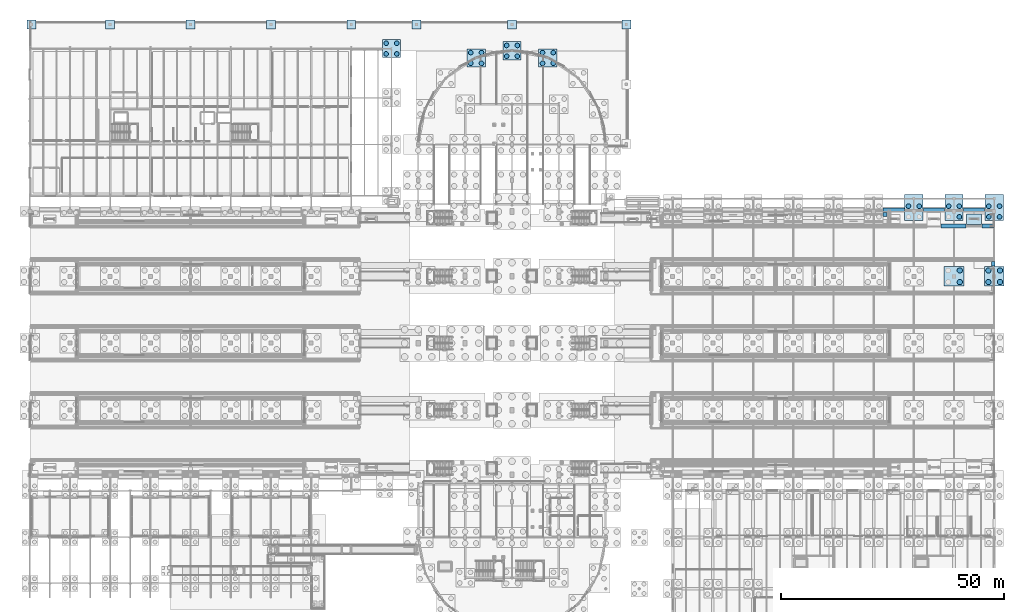
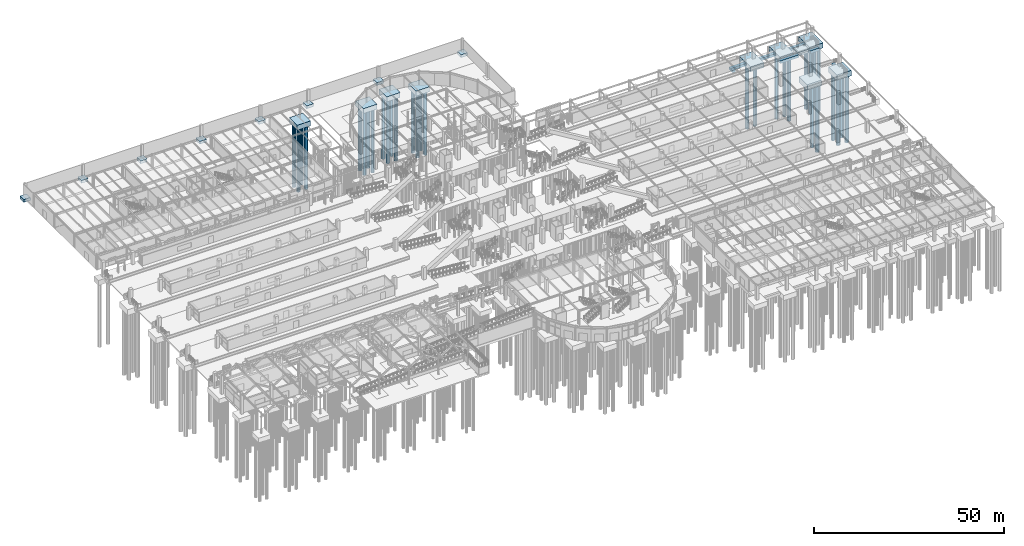
# One storey, part 9 of 160: 31 piles, 25 footings.
"""IFC4 building model written with IfcOpenShell, lengths in metres."""

from ifc_helpers import new_model, si_unit, direction, frame, origin, origin_2d, place, context, subcontext, project, spatial, rectangle, circle, extrude, material, material_profile, profile_set, type_object, element, save


model = new_model("IFC4")

# Units and contexts
model_context = context("Model", 3, precision=1e-05, world=origin(), true_north=direction((0.0, 1.0)))
body_context = subcontext(model_context, "Body", "Model", "MODEL_VIEW")
ifc_project = project(units=[si_unit("LENGTHUNIT", "METRE"), si_unit("AREAUNIT", "SQUARE_METRE"), si_unit("VOLUMEUNIT", "CUBIC_METRE"), si_unit("PLANEANGLEUNIT", "RADIAN"), si_unit("MASSUNIT", "GRAM", prefix="KILO")], contexts=[model_context])

# Site, building, storey
site_placement = place(None, origin())
site = spatial("IfcSite", under=ifc_project, at=site_placement, CompositionType="ELEMENT")
building_placement = place(site_placement, origin())
building = spatial("IfcBuilding", under=site, at=building_placement, Name="Marlcrest Central Station", CompositionType="ELEMENT")
storey_placement = place(building_placement, origin())
storey = spatial("IfcBuildingStorey", under=building, at=storey_placement, Name="L00", CompositionType="ELEMENT", Elevation=0.0)

# Piles
ifc_material_1 = material(Name="Concrete C35/45", Category="concrete")
ifc_material_profile_1 = material_profile(ifc_material_1, circle(Radius=0.52490234375, at=origin_2d()), Name="PILE D1050")
ifc_profile_set_1 = profile_set([ifc_material_profile_1], Name="Concrete C35/45")
pile_type_1 = type_object("IfcPileType", Name="BP-03", PredefinedType="BORED", material=ifc_profile_set_1)
for number, where, z_axis, x_axis, name in (
    (1, (79.800048828125, 130.800048828125, -1.5), (0.0, 0.0, -1.0), (1.0, 0.0, 0.0), "pile-BP-03-0165"),
    (2, (82.199951171875, 130.800048828125, -1.5), (0.0, 0.0, -1.0), (1.0, 0.0, 0.0), "pile-BP-03-0166"),
    (3, (79.800048828125, 133.199951171875, -1.5), (0.0, 0.0, -1.0), (1.0, 0.0, 0.0), "pile-BP-03-0167"),
    (4, (82.199951171875, 133.199951171875, -1.5), (0.0, 0.0, -1.0), (1.0, 0.0, 0.0), "pile-BP-03-0168"),
    (5, (196.800048828125, 96.699951171875, -1.5), (0.0, 0.0, -1.0), (1.0, 0.0, 0.0), "pile-BP-03-0663"),
    (6, (199.199951171875, 96.699951171875, -1.5), (0.0, 0.0, -1.0), (1.0, 0.0, 0.0), "pile-BP-03-0664"),
    (7, (208.199951171875, 94.300048828125, -1.5), (0.0, 0.0, -1.0), (1.0, 0.0, 0.0), "pile-BP-03-0678"),
    (8, (205.800048828125, 96.699951171875, -1.5), (0.0, 0.0, -1.0), (1.0, 0.0, 0.0), "pile-BP-03-0679"),
    (9, (208.199951171875, 96.699951171875, -1.5), (0.0, 0.0, -1.0), (1.0, 0.0, 0.0), "pile-BP-03-0680"),
    (10, (214.800048828125, 94.300048828125, -1.5), (0.0, 0.0, -1.0), (1.0, 0.0, 0.0), "pile-BP-03-0693"),
    (11, (217.199951171875, 94.300048828125, -1.5), (0.0, 0.0, -1.0), (1.0, 0.0, 0.0), "pile-BP-03-0694"),
    (12, (214.800048828125, 96.699951171875, -1.5), (0.0, 0.0, -1.0), (1.0, 0.0, 0.0), "pile-BP-03-0695"),
    (13, (217.199951171875, 96.699951171875, -1.5), (0.0, 0.0, -1.0), (1.0, 0.0, 0.0), "pile-BP-03-0696"),
    (14, (98.763916015625, 128.700927734375, -1.5), (0.0, 0.0, -1.0), (1.0, 0.0, 0.0), "pile-BP-03-1014"),
    (15, (101.1640625, 128.700927734375, -1.5), (0.0, 0.0, -1.0), (1.0, 0.0, 0.0), "pile-BP-03-1015"),
    (16, (98.763916015625, 131.10107421875, -1.5), (0.0, 0.0, -1.0), (1.0, 0.0, 0.0), "pile-BP-03-1016"),
    (17, (101.1640625, 131.10107421875, -1.5), (0.0, 0.0, -1.0), (1.0, 0.0, 0.0), "pile-BP-03-1017"),
    (18, (106.800048828125, 130.300048828125, -1.5), (0.0, 0.0, -1.0), (1.0, 0.0, 0.0), "pile-BP-03-1018"),
    (19, (109.199951171875, 130.300048828125, -1.5), (0.0, 0.0, -1.0), (1.0, 0.0, 0.0), "pile-BP-03-1019"),
    (20, (106.800048828125, 132.699951171875, -1.5), (0.0, 0.0, -1.0), (1.0, 0.0, 0.0), "pile-BP-03-1020"),
    (21, (109.199951171875, 132.699951171875, -1.5), (0.0, 0.0, -1.0), (1.0, 0.0, 0.0), "pile-BP-03-1021"),
    (22, (114.8359375, 128.700927734375, -1.5), (0.0, 0.0, -1.0), (1.0, 0.0, 0.0), "pile-BP-03-1022"),
    (23, (117.236083984375, 128.700927734375, -1.5), (0.0, 0.0, -1.0), (1.0, 0.0, 0.0), "pile-BP-03-1023"),
    (24, (114.8359375, 131.10107421875, -1.5), (0.0, 0.0, -1.0), (1.0, 0.0, 0.0), "pile-BP-03-1024"),
    (25, (117.236083984375, 131.10107421875, -1.5), (0.0, 0.0, -1.0), (1.0, 0.0, 0.0), "pile-BP-03-1025"),
):
    element("IfcPile", number, at=place(storey_placement, frame(where, z_axis=z_axis, x_axis=x_axis)), inside=storey, type_object=pile_type_1, Name=name, PredefinedType="BORED", context=body_context, shape_type="SweptSolid", body=[
        extrude(circle(Radius=0.52490234375, at=origin_2d()), origin(), (0.0, 0.0, 1.0), 20.5),
    ])
ifc_material_profile_2 = material_profile(ifc_material_1, circle(Radius=0.60009765625, at=origin_2d()), Name="PILE D1200")
ifc_profile_set_2 = profile_set([ifc_material_profile_2], Name="Concrete C35/45")
pile_type_2 = type_object("IfcPileType", Name="BP-04", PredefinedType="BORED", material=ifc_profile_set_2)
for number, where, z_axis, x_axis, name in (
    (26, (208.300048828125, 79.699951171875, -1.699951171875), (0.0, 0.0, -1.0), (1.0, 0.0, 0.0), "pile-BP-04-0674"),
    (27, (208.300048828125, 82.300048828125, -1.699951171875), (0.0, 0.0, -1.0), (1.0, 0.0, 0.0), "pile-BP-04-0676"),
    (28, (214.699951171875, 79.699951171875, -1.699951171875), (0.0, 0.0, -1.0), (1.0, 0.0, 0.0), "pile-BP-04-0689"),
    (29, (217.300048828125, 79.699951171875, -1.699951171875), (0.0, 0.0, -1.0), (1.0, 0.0, 0.0), "pile-BP-04-0690"),
    (30, (214.699951171875, 82.300048828125, -1.699951171875), (0.0, 0.0, -1.0), (1.0, 0.0, 0.0), "pile-BP-04-0691"),
    (31, (217.300048828125, 82.300048828125, -1.699951171875), (0.0, 0.0, -1.0), (1.0, 0.0, 0.0), "pile-BP-04-0692"),
):
    element("IfcPile", number, at=place(storey_placement, frame(where, z_axis=z_axis, x_axis=x_axis)), inside=storey, type_object=pile_type_2, Name=name, PredefinedType="BORED", context=body_context, shape_type="SweptSolid", body=[
        extrude(circle(Radius=0.60009765625, at=origin_2d()), origin(), (0.0, 0.0, 1.0), 21.5),
    ])

# Footings
ifc_material_2 = material(Name="Concrete C40/50", Category="concrete")
footing_type_1 = type_object("IfcFootingType", Name="PC-03", PredefinedType="PILE_CAP", material=ifc_material_2)
footing_1_placement = place(storey_placement, frame((81.0, 132.0, -1.60009765625), z_axis=(0.0, 0.0, 1.0), x_axis=(1.0, 0.0, 0.0)))
element("IfcFooting", 32, at=footing_1_placement, inside=storey, type_object=footing_type_1, Name="ftg-cap-0040", PredefinedType="PILE_CAP", context=body_context, shape_type="SweptSolid", body=[
    extrude(rectangle(XDim=4.10009765625, YDim=4.10009765625, at=origin_2d()), origin(), (0.0, 0.0, 1.0), 1.60009765625),
])
for number, where, z_axis, x_axis, name in (
    (33, (198.0, 96.39990234375, -1.60009765625), (0.0, 0.0, 1.0), (1.0, 0.0, 0.0), "ftg-cap-0172"),
    (34, (207.0, 96.39990234375, -1.60009765625), (0.0, 0.0, 1.0), (1.0, 0.0, 0.0), "ftg-cap-0176"),
    (35, (216.0, 96.39990234375, -1.60009765625), (0.0, 0.0, 1.0), (1.0, 0.0, 0.0), "ftg-cap-0180"),
):
    element("IfcFooting", number, at=place(storey_placement, frame(where, z_axis=z_axis, x_axis=x_axis)), inside=storey, type_object=footing_type_1, Name=name, PredefinedType="PILE_CAP", context=body_context, shape_type="SweptSolid", body=[
        extrude(rectangle(XDim=4.10009765625, YDim=5.89990234375, at=origin_2d()), origin(), (0.0, 0.0, 1.0), 1.60009765625),
    ])
for number, where, z_axis, x_axis, name in (
    (36, (99.964111328125, 129.90087890625, -1.60009765625), (0.0, 0.0, 1.0), (1.0, 0.0, 0.0), "ftg-cap-0237"),
    (37, (108.0, 131.5, -1.60009765625), (0.0, 0.0, 1.0), (1.0, 0.0, 0.0), "ftg-cap-0238"),
    (38, (116.035888671875, 129.90087890625, -1.60009765625), (0.0, 0.0, 1.0), (1.0, 0.0, 0.0), "ftg-cap-0239"),
):
    element("IfcFooting", number, at=place(storey_placement, frame(where, z_axis=z_axis, x_axis=x_axis)), inside=storey, type_object=footing_type_1, Name=name, PredefinedType="PILE_CAP", context=body_context, shape_type="SweptSolid", body=[
        extrude(rectangle(XDim=4.10009765625, YDim=4.10009765625, at=origin_2d()), origin(), (0.0, 0.0, 1.0), 1.60009765625),
    ])
footing_type_2 = type_object("IfcFootingType", Name="PC-04", PredefinedType="PILE_CAP", material=ifc_material_2)
for number, where, z_axis, x_axis, name in (
    (39, (207.0, 81.0, -1.7998046875), (0.0, 0.0, 1.0), (1.0, 0.0, 0.0), "ftg-cap-0175"),
    (40, (216.0, 81.0, -1.7998046875), (0.0, 0.0, 1.0), (1.0, 0.0, 0.0), "ftg-cap-0179"),
):
    element("IfcFooting", number, at=place(storey_placement, frame(where, z_axis=z_axis, x_axis=x_axis)), inside=storey, type_object=footing_type_2, Name=name, PredefinedType="PILE_CAP", context=body_context, shape_type="SweptSolid", body=[
        extrude(rectangle(XDim=4.39990234375, YDim=4.39990234375, at=origin_2d()), origin(), (0.0, 0.0, 1.0), 1.800048828125),
    ])
footing_type_3 = type_object("IfcFootingType", Name="PF-02", PredefinedType="PAD_FOOTING", material=ifc_material_2)
for number, where, z_axis, x_axis, name in (
    (41, (0.39990234375, 137.39990234375, -0.89990234375), (0.0, 0.0, 1.0), (1.0, 0.0, 0.0), "ftg-hs-n-4"),
    (42, (18.0, 137.39990234375, -0.89990234375), (0.0, 0.0, 1.0), (1.0, 0.0, 0.0), "ftg-hs-n-180"),
    (43, (36.0, 137.39990234375, -0.89990234375), (0.0, 0.0, 1.0), (1.0, 0.0, 0.0), "ftg-hs-n-360"),
    (44, (54.0, 137.39990234375, -0.89990234375), (0.0, 0.0, 1.0), (1.0, 0.0, 0.0), "ftg-hs-n-540"),
    (45, (72.0, 137.39990234375, -0.89990234375), (0.0, 0.0, 1.0), (1.0, 0.0, 0.0), "ftg-hs-n-720"),
    (46, (86.60009765625, 137.39990234375, -0.89990234375), (0.0, 0.0, 1.0), (1.0, 0.0, 0.0), "ftg-hs-n-866"),
    (47, (108.0, 137.39990234375, -0.89990234375), (0.0, 0.0, 1.0), (1.0, 0.0, 0.0), "ftg-hs-n-1080"),
    (48, (133.60009765625, 137.39990234375, -0.89990234375), (0.0, 0.0, 1.0), (1.0, 0.0, 0.0), "ftg-hs-n-1336"),
):
    element("IfcFooting", number, at=place(storey_placement, frame(where, z_axis=z_axis, x_axis=x_axis)), inside=storey, type_object=footing_type_3, Name=name, PredefinedType="PAD_FOOTING", context=body_context, shape_type="SweptSolid", body=[
        extrude(rectangle(XDim=2.0, YDim=2.0, at=origin_2d()), origin(), (0.0, 0.0, 1.0), 0.89990234375),
    ])
footing_type_4 = type_object("IfcFootingType", Name="PF-07", PredefinedType="PAD_FOOTING", material=ifc_material_2)
footing_2_placement = place(storey_placement, frame((211.5, 93.800048828125, -0.949951171875), z_axis=(0.0, 0.0, 1.0), x_axis=(1.0, 0.0, 0.0)))
element("IfcFooting", 49, at=footing_2_placement, inside=storey, type_object=footing_type_4, Name="ftg-pad-ap-6-1", PredefinedType="PAD_FOOTING", context=body_context, shape_type="SweptSolid", body=[
    extrude(rectangle(XDim=3.39990234375, YDim=2.39990234375, at=origin_2d()), origin(), (0.0, 0.0, 1.0), 1.14990234375),
])
footing_type_5 = type_object("IfcFootingType", Name="SF-01", PredefinedType="STRIP_FOOTING", material=ifc_material_2)
footing_3_placement = place(storey_placement, frame((215.800048828125, 83.762939453125, -0.7998046875), z_axis=(0.0, 0.0, 1.0), x_axis=(1.0, 0.0, 0.0)))
element("IfcFooting", 50, at=footing_3_placement, inside=storey, type_object=footing_type_5, Name="ftg-pw-0097", PredefinedType="STRIP_FOOTING", context=body_context, shape_type="SweptSolid", body=[
    extrude(rectangle(XDim=0.85009765625, YDim=0.985107421875, at=origin_2d()), origin(), (0.0, 0.0, 1.0), 0.800048828125),
])
footing_4_placement = place(storey_placement, frame((206.89990234375, 92.25, -0.7998046875), z_axis=(0.0, 0.0, 1.0), x_axis=(1.0, 0.0, 0.0)))
element("IfcFooting", 51, at=footing_4_placement, inside=storey, type_object=footing_type_5, Name="ftg-pw-0117", PredefinedType="STRIP_FOOTING", context=body_context, shape_type="SweptSolid", body=[
    extrude(rectangle(XDim=5.659912109375, YDim=0.85009765625, at=origin_2d()), origin(), (0.0, 0.0, 1.0), 0.800048828125),
])
footing_5_placement = place(storey_placement, frame((214.625, 92.25, -0.7998046875), z_axis=(0.0, 0.0, 1.0), x_axis=(1.0, 0.0, 0.0)))
element("IfcFooting", 52, at=footing_5_placement, inside=storey, type_object=footing_type_5, Name="ftg-pw-0118", PredefinedType="STRIP_FOOTING", context=body_context, shape_type="SweptSolid", body=[
    extrude(rectangle(XDim=2.7099609375, YDim=0.85009765625, at=origin_2d()), origin(), (0.0, 0.0, 1.0), 0.800048828125),
])
for number, where, z_axis, x_axis, name in (
    (53, (193.5, 95.85009765625, -0.7998046875), (0.0, 0.0, 1.0), (1.0, 0.0, 0.0), "ftg-pw-0125"),
    (54, (202.5, 95.85009765625, -0.7998046875), (0.0, 0.0, 1.0), (1.0, 0.0, 0.0), "ftg-pw-0126"),
    (55, (211.5, 95.85009765625, -0.7998046875), (0.0, 0.0, 1.0), (1.0, 0.0, 0.0), "ftg-pw-0127"),
):
    element("IfcFooting", number, at=place(storey_placement, frame(where, z_axis=z_axis, x_axis=x_axis)), inside=storey, type_object=footing_type_5, Name=name, PredefinedType="STRIP_FOOTING", context=body_context, shape_type="SweptSolid", body=[
        extrude(rectangle(XDim=4.760009765625, YDim=0.85009765625, at=origin_2d()), origin(), (0.0, 0.0, 1.0), 0.800048828125),
    ])
footing_6_placement = place(storey_placement, frame((191.574951171875, 94.85009765625, -0.7998046875), z_axis=(0.0, 0.0, 1.0), x_axis=(1.0, 0.0, 0.0)))
element("IfcFooting", 56, at=footing_6_placement, inside=storey, type_object=footing_type_5, Name="ftg-pw-0139", PredefinedType="STRIP_FOOTING", context=body_context, shape_type="SweptSolid", body=[
    extrude(rectangle(XDim=0.909912109375, YDim=0.85009765625, at=origin_2d()), origin(), (0.0, 0.0, 1.0), 0.800048828125),
])

save(model, "model.ifc")
